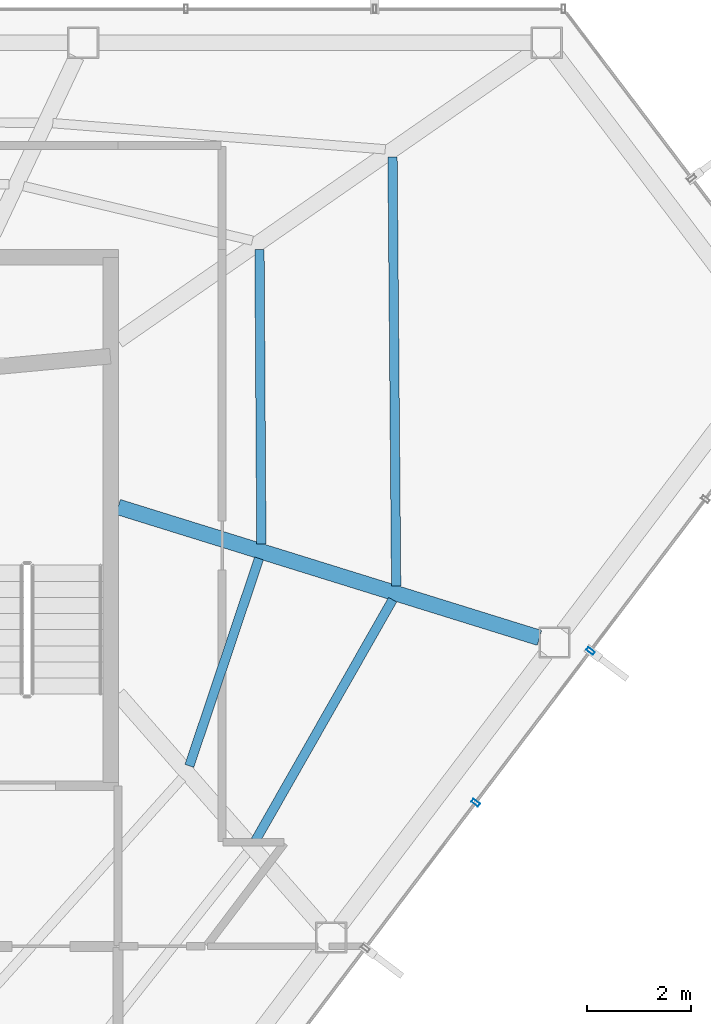
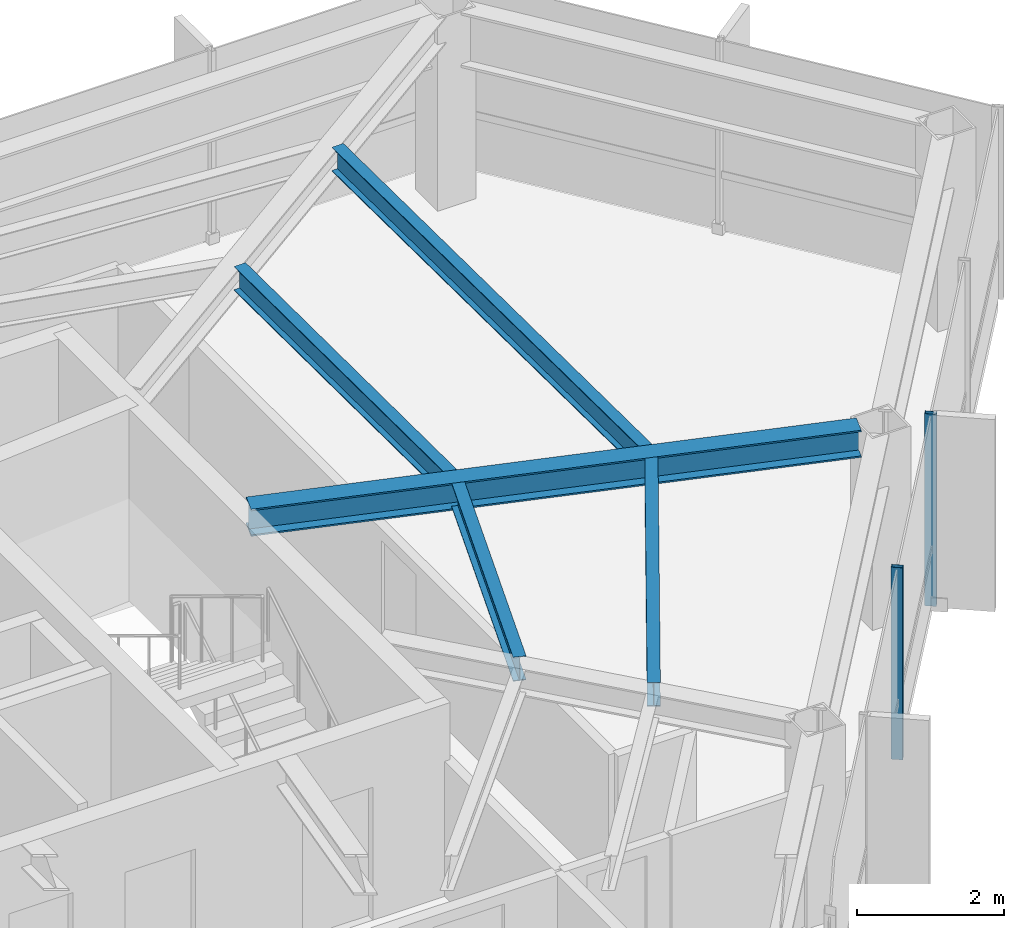
# One storey, part 19 of 27: 5 beams, 2 members, 1 element without a shape of its own.
"""IFC4 building model written with IfcOpenShell, lengths in metres."""

from ifc_helpers import new_model, si_unit, direction, frame, origin, origin_2d, place, context, subcontext, project, spatial, hollow_rectangle, i_section, extrude, material, layer, layer_set, material_profile, profile_set, type_object, element, aggregate, save


model = new_model("IFC4")

# Units and contexts
model_context = context("Model", 3, precision=1e-05, world=origin(), true_north=direction((0.0, 1.0)))
body_context = subcontext(model_context, "Body", "Model", "MODEL_VIEW")
ifc_project = project(units=[si_unit("LENGTHUNIT", "METRE"), si_unit("AREAUNIT", "SQUARE_METRE"), si_unit("VOLUMEUNIT", "CUBIC_METRE"), si_unit("PLANEANGLEUNIT", "RADIAN"), si_unit("MASSUNIT", "GRAM", prefix="KILO")], contexts=[model_context])

# Site, building, storey
site_placement = place(None, origin())
site = spatial("IfcSite", under=ifc_project, at=site_placement, CompositionType="ELEMENT")
building_placement = place(site_placement, origin())
building = spatial("IfcBuilding", under=site, at=building_placement, Name="Zarrinselat Tower", CompositionType="ELEMENT")
storey_placement = place(building_placement, frame((0.0, 0.0, 229.159912109375)))
storey = spatial("IfcBuildingStorey", under=building, at=storey_placement, Name="L57", CompositionType="ELEMENT", Elevation=229.159912109375)

# Beams
ifc_material_1 = material(Name="Steel S355J2", Category="steel")
ifc_material_profile_1 = material_profile(ifc_material_1, i_section(OverallWidth=0.300048828125, OverallDepth=0.449951171875, WebThickness=0.013916015625, FlangeThickness=0.02587890625, at=origin_2d()), Name="HEB 450")
ifc_profile_set_1 = profile_set([ifc_material_profile_1], Name="Steel S355J2")
beam_type_1 = type_object("IfcBeamType", Name="BM-HEB450", PredefinedType="BEAM", material=ifc_profile_set_1)
beam_1_placement = place(storey_placement, frame((48.35009765625, 38.60009765625, 2.955078125), z_axis=(0.954930921027, -0.296828125463, 0.0), x_axis=(0.296828125463, 0.954930921027, 0.0)))
element("IfcBeam", 1, at=beam_1_placement, inside=storey, type_object=beam_type_1, Name="L57 Radial Primary Girder RG14", PredefinedType="BEAM", context=body_context, shape_type="SweptSolid", body=[
    extrude(i_section(OverallWidth=0.300048828125, OverallDepth=0.449951171875, WebThickness=0.013916015625, FlangeThickness=0.02587890625, at=origin_2d()), origin(), (0.0, 0.0, 1.0), 8.485595703125),
])
ifc_material_2 = material(Name="Steel S355J2", Category="steel")
ifc_material_profile_2 = material_profile(ifc_material_2, i_section(OverallWidth=0.179931640625, OverallDepth=0.39990234375, WebThickness=0.008544921875, FlangeThickness=0.013427734375, at=origin_2d()), Name="IPE 400")
ifc_profile_set_2 = profile_set([ifc_material_profile_2], Name="Steel S355J2")
beam_type_2 = type_object("IfcBeamType", Name="BM-IPE400", PredefinedType="JOIST", material=ifc_profile_set_2)
beam_2_placement = place(storey_placement, frame((50.99169921875, 32.1845703125, 2.97998046875), z_axis=(0.49480643007, 0.869003220225, 0.0), x_axis=(-0.869003220225, 0.49480643007, 0.0)))
element("IfcBeam", 2, at=beam_2_placement, inside=storey, type_object=beam_type_2, Name="L57 Composite Floor Joist 4-1", PredefinedType="JOIST", context=body_context, shape_type="SweptSolid", body=[
    extrude(i_section(OverallWidth=0.179931640625, OverallDepth=0.39990234375, WebThickness=0.008544921875, FlangeThickness=0.013427734375, at=origin_2d()), origin(), (0.0, 0.0, 1.0), 5.329833984375),
])
beam_3_placement = place(storey_placement, frame((49.7197265625, 33.61962890625, 2.97998046875), z_axis=(0.318436015028, 0.947944357192, 0.0), x_axis=(-0.947944357192, 0.318436015028, 0.0)))
element("IfcBeam", 3, at=beam_3_placement, inside=storey, type_object=beam_type_2, Name="L57 Composite Floor Joist 4-2", PredefinedType="JOIST", context=body_context, shape_type="SweptSolid", body=[
    extrude(i_section(OverallWidth=0.179931640625, OverallDepth=0.39990234375, WebThickness=0.008544921875, FlangeThickness=0.013427734375, at=origin_2d()), origin(), (0.0, 0.0, 1.0), 4.210693359375),
])
beam_4_placement = place(storey_placement, frame((53.62744140625, 45.32666015625, 2.97998046875), z_axis=(0.008434647268, -0.99996442773, 0.0), x_axis=(0.99996442773, 0.008434647268, 0.0)))
element("IfcBeam", 4, at=beam_4_placement, inside=storey, type_object=beam_type_2, Name="L57 Composite Floor Joist 5-1", PredefinedType="JOIST", context=body_context, shape_type="SweptSolid", body=[
    extrude(i_section(OverallWidth=0.179931640625, OverallDepth=0.39990234375, WebThickness=0.008544921875, FlangeThickness=0.013427734375, at=origin_2d()), origin(), (0.0, 0.0, 1.0), 8.249267578125),
])
beam_5_placement = place(storey_placement, frame((51.06884765625, 43.548828125, 2.97998046875), z_axis=(0.006248800596, -0.999980476055, 0.0), x_axis=(0.999980476055, 0.006248800596, 0.0)))
element("IfcBeam", 5, at=beam_5_placement, inside=storey, type_object=beam_type_2, Name="L57 Composite Floor Joist 5-2", PredefinedType="JOIST", context=body_context, shape_type="SweptSolid", body=[
    extrude(i_section(OverallWidth=0.179931640625, OverallDepth=0.39990234375, WebThickness=0.008544921875, FlangeThickness=0.013427734375, at=origin_2d()), origin(), (0.0, 0.0, 1.0), 5.6650390625),
])

# Curtain wall, members
ifc_material_3 = material(Name="Extruded Aluminium Alloy EN AW-6063 T6", Category="aluminium")
ifc_layer = layer(ifc_material_3, 0.169921875)
ifc_layer_set = layer_set([ifc_layer], Name="Extruded Aluminium Alloy EN AW-6063 T6")
curtain_wall_type = type_object("IfcCurtainWallType", Name="CWS-RES", PredefinedType="NOTDEFINED", material=ifc_layer_set)
curtain_wall_placement = place(storey_placement, origin())
curtain_wall = element("IfcCurtainWall", 6, at=curtain_wall_placement, inside=storey, type_object=curtain_wall_type, Name="L57 Unitised Curtain Wall CW-L57-E05", PredefinedType="NOTDEFINED")
ifc_material_4 = material(Name="Extruded Aluminium Alloy EN AW-6063 T6", Category="aluminium")
ifc_material_profile_3 = material_profile(ifc_material_4, hollow_rectangle(XDim=0.070068359375, YDim=0.159912109375, WallThickness=0.00390625, at=origin_2d()), Name="RHS 160x70x4")
ifc_profile_set_3 = profile_set([ifc_material_profile_3], Name="Extruded Aluminium Alloy EN AW-6063 T6")
member_type = type_object("IfcMemberType", Name="MEM-CW-MUL2", PredefinedType="MULLION", material=ifc_profile_set_3)
member_1_placement = place(storey_placement, frame((55.22509765625, 32.913330078125, 0.0), z_axis=(0.0, 0.0, 1.0), x_axis=(0.603858872188, 0.797091251037, 0.0)))
member_1 = element("IfcMember", 7, at=member_1_placement, type_object=member_type, Name="CW-L57-E05 Mullion 6", PredefinedType="MULLION", context=body_context, shape_type="SweptSolid", body=[
    extrude(hollow_rectangle(XDim=0.070068359375, YDim=0.159912109375, WallThickness=0.00390625, at=origin_2d()), origin(), (0.0, 0.0, 1.0), 3.18017578125),
])
member_2_placement = place(storey_placement, frame((57.43408203125, 35.829345703125, 0.0), z_axis=(0.0, 0.0, 1.0), x_axis=(0.603858872188, 0.797091251037, 0.0)))
member_2 = element("IfcMember", 8, at=member_2_placement, type_object=member_type, Name="CW-L57-E05 Mullion 7", PredefinedType="MULLION", context=body_context, shape_type="SweptSolid", body=[
    extrude(hollow_rectangle(XDim=0.070068359375, YDim=0.159912109375, WallThickness=0.00390625, at=origin_2d()), origin(), (0.0, 0.0, 1.0), 3.18017578125),
])
aggregate(curtain_wall, [member_1, member_2])

save(model, "model.ifc")
